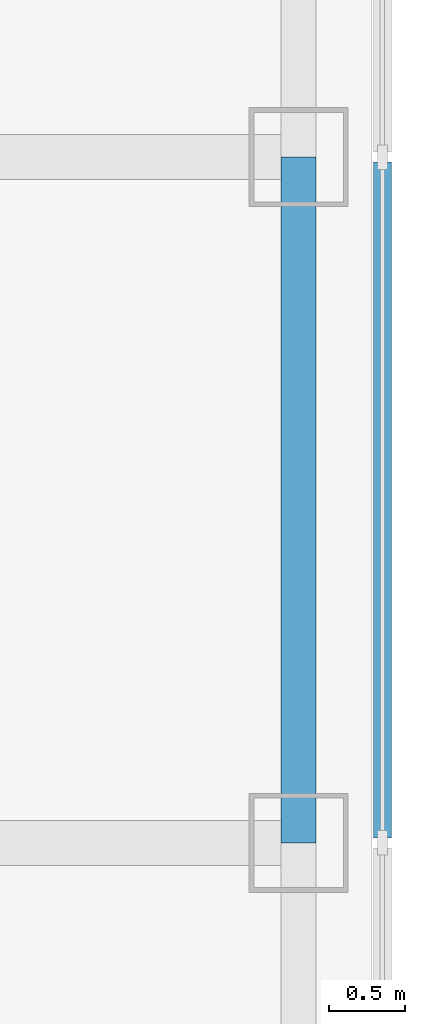
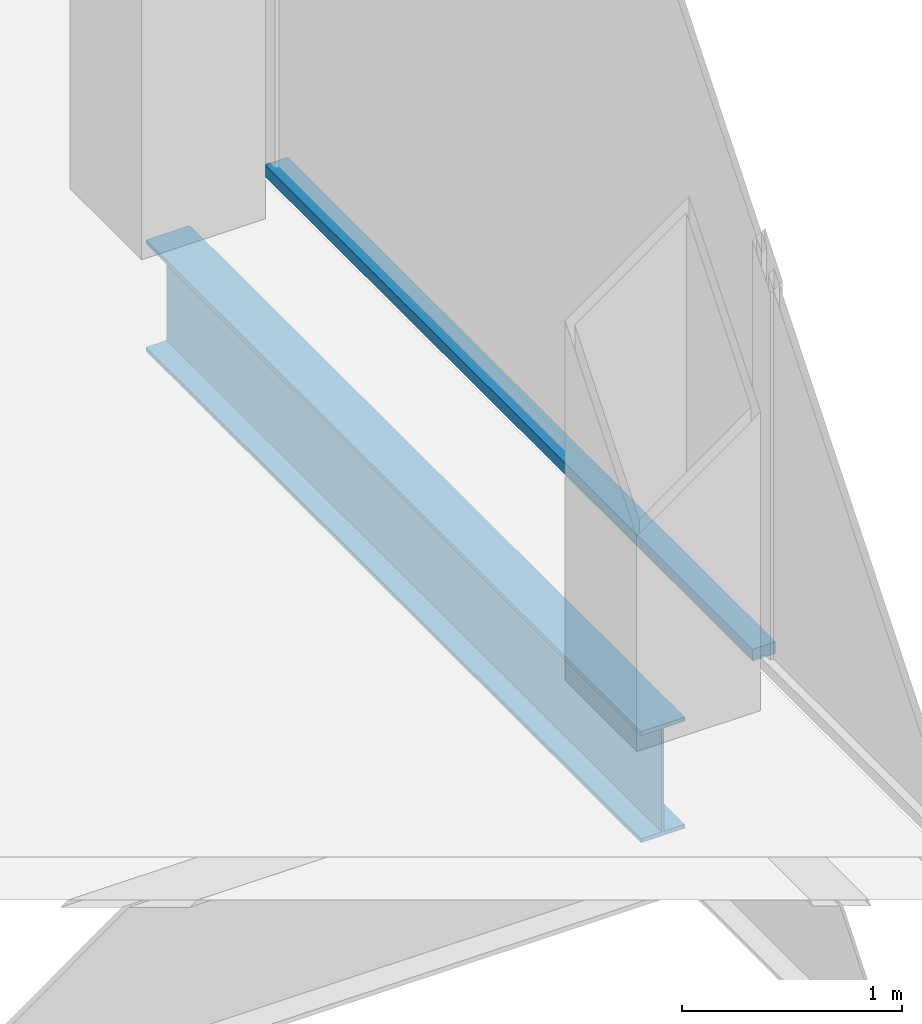
# One storey, part 5 of 14: 1 beam, 1 member, 1 element without a shape of its own.
"""IFC4 building model written with IfcOpenShell, lengths in metres."""

from ifc_helpers import new_model, si_unit, direction, frame, origin, origin_2d, place, context, subcontext, project, spatial, rectangle, i_section, extrude, material, material_profile, profile_set, type_object, element, aggregate, save


model = new_model("IFC4")

# Units and contexts
model_context = context("Model", 3, precision=1e-05, world=origin(), true_north=direction((0.0, 1.0)))
body_context = subcontext(model_context, "Body", "Model", "MODEL_VIEW")
ifc_project = project(units=[si_unit("LENGTHUNIT", "METRE"), si_unit("AREAUNIT", "SQUARE_METRE"), si_unit("VOLUMEUNIT", "CUBIC_METRE"), si_unit("PLANEANGLEUNIT", "RADIAN"), si_unit("MASSUNIT", "GRAM", prefix="KILO")], contexts=[model_context])

# Site, building, storey
site_placement = place(None, origin())
site = spatial("IfcSite", under=ifc_project, at=site_placement, CompositionType="ELEMENT")
building_placement = place(site_placement, origin())
building = spatial("IfcBuilding", under=site, at=building_placement, Name="Corais Broadcast Tower", CompositionType="ELEMENT")
storey_placement = place(building_placement, frame((0.0, 0.0, 234.60009765625)))
storey = spatial("IfcBuildingStorey", under=building, at=storey_placement, Name="L54", CompositionType="ELEMENT", Elevation=234.60009765625)

# Beam
ifc_material_1 = material(Name="Steel ASTM A572 Grade 50", Category="steel")
ifc_material_profile_1 = material_profile(ifc_material_1, i_section(OverallWidth=0.22998046875, OverallDepth=0.616943359375, WebThickness=0.01318359375, FlangeThickness=0.022216796875, at=origin_2d()), Name="W610x140")
ifc_profile_set_1 = profile_set([ifc_material_profile_1], Name="Steel ASTM A572 Grade 50")
beam_type = type_object("IfcBeamType", Name="Spandrel W610x140", PredefinedType="BEAM", material=ifc_profile_set_1)
beam_placement = place(storey_placement, frame((54.0, 27.0, -0.468505859375), z_axis=(0.0, 1.0, 0.0), x_axis=(-1.0, 0.0, 0.0)))
element("IfcBeam", 1, at=beam_placement, inside=storey, type_object=beam_type, Name="SB3 G/15 to H/15", PredefinedType="BEAM", context=body_context, shape_type="SweptSolid", body=[
    extrude(i_section(OverallWidth=0.22998046875, OverallDepth=0.616943359375, WebThickness=0.01318359375, FlangeThickness=0.022216796875, at=origin_2d()), origin(), (0.0, 0.0, 1.0), 4.5),
])

# Curtain wall, member
ifc_material_2 = material(Name="Aluminium and glass", Category="aluminium")
curtain_wall_type = type_object("IfcCurtainWallType", Name="Unitised fritted curtain wall CW3", PredefinedType="NOTDEFINED", material=ifc_material_2)
curtain_wall_placement = place(storey_placement, origin())
curtain_wall = element("IfcCurtainWall", 2, at=curtain_wall_placement, inside=storey, type_object=curtain_wall_type, Name="CW3 curtain wall L54 6", PredefinedType="NOTDEFINED")
ifc_material_3 = material(Name="Aluminium 6063-T6", Category="aluminium")
ifc_material_profile_2 = material_profile(ifc_material_3, rectangle(XDim=0.1201171875, YDim=0.06494140625, at=origin_2d()), Name="Transom CW3 65x120")
ifc_profile_set_2 = profile_set([ifc_material_profile_2], Name="Aluminium 6063-T6")
member_type = type_object("IfcMemberType", Name="Transom CW3 65x120", PredefinedType="USERDEFINED", material=ifc_profile_set_2)
member_placement = place(storey_placement, frame((54.550048828125, 31.467529296875, 0.032470703125), z_axis=(0.0, -1.0, 0.0), x_axis=(1.0, 0.0, 0.0)))
member = element("IfcMember", 3, at=member_placement, type_object=member_type, Name="CW3 transom 3.1", ObjectType="TRANSOM", PredefinedType="USERDEFINED", context=body_context, shape_type="SweptSolid", body=[
    extrude(rectangle(XDim=0.1201171875, YDim=0.06494140625, at=origin_2d()), origin(), (0.0, 0.0, 1.0), 4.43505859375),
])
aggregate(curtain_wall, [member])

save(model, "model.ifc")
